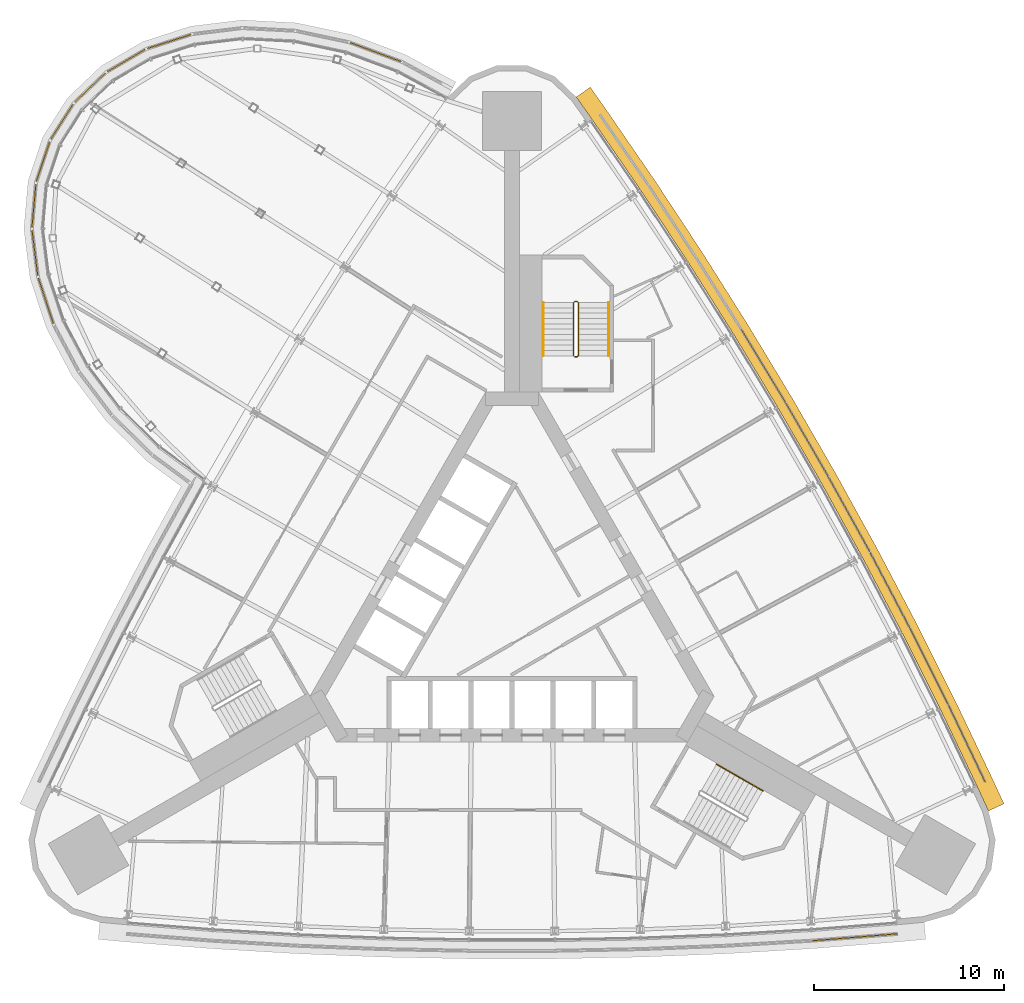
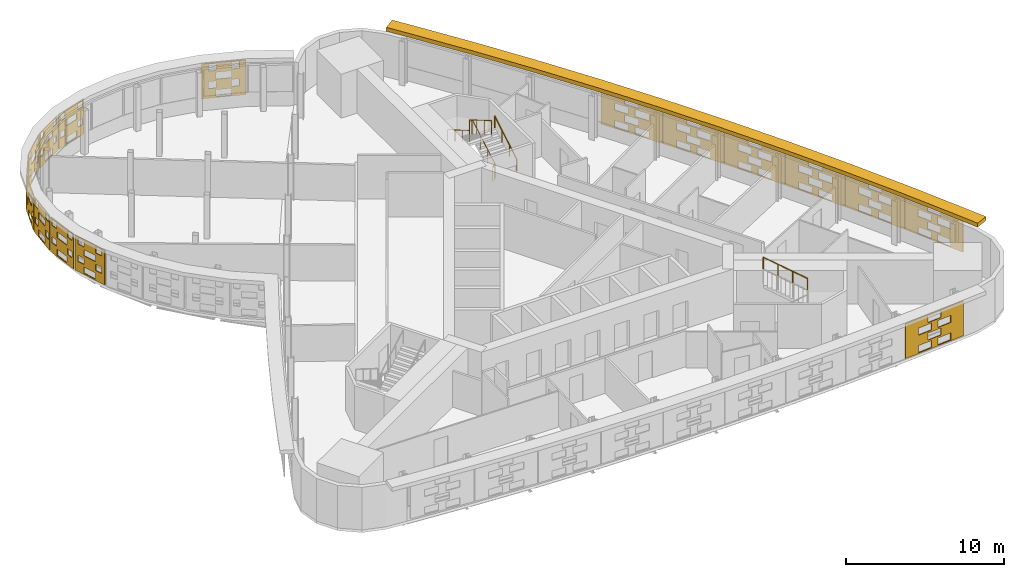
# One storey, part 16 of 17: 17 shading devices, 4 railings.
"""IFC4 building model written with IfcOpenShell, lengths in metres."""

import ifcopenshell
import ifcopenshell.guid

model = None  # the IFC model being written
_history = None  # IfcOwnerHistory: only IFC2X3 demands one
_inside = {}  # id of a spatial element -> (the spatial element, [elements in it])
_under = {}  # id of a project, library or spatial element -> (it, [spatial elements below it])
_declared = {}  # id of a project -> (the project, [libraries it declares])
_typed = {}  # id of a type object -> (the type object, [elements of that type])
_made_of = {}  # id of a material, layer set ... -> (it, [elements and type objects made of it])


def new_model(schema):
    """Start an empty IFC model of exactly this schema.

    Asked for "IFC4X3", IfcOpenShell would pick the latest addendum, in which some entities
    have other attributes; the version numbers below select the first issue.
    IFC2X3 requires an IfcOwnerHistory on every rooted entity: one is made here for all.
    """
    global model, _history
    if schema == "IFC4X3":
        model = ifcopenshell.file(schema_version=(4, 3, 0, 0))
    else:
        model = ifcopenshell.file(schema=schema)
    _inside.clear()
    _under.clear()
    _declared.clear()
    _typed.clear()
    _made_of.clear()
    _history = None
    if model.schema == "IFC2X3":
        org = make("IfcOrganization", Name="unknown")
        user = make(
            "IfcPersonAndOrganization",
            ThePerson=make("IfcPerson", FamilyName="unknown"),
            TheOrganization=org,
        )
        app = make(
            "IfcApplication",
            ApplicationDeveloper=org,
            Version="unknown",
            ApplicationFullName="unknown",
            ApplicationIdentifier="unknown",
        )
        _history = make(
            "IfcOwnerHistory",
            OwningUser=user,
            OwningApplication=app,
            ChangeAction="ADDED",
            CreationDate=0,
        )
    return model


def make(cls, **values):
    """One entity of the class cls with the attributes given. An attribute that is None is left unset."""
    return model.create_entity(
        cls, **{name: value for name, value in values.items() if value is not None}
    )


def rooted(cls, **values):
    """An entity with a GlobalId (a new one), such as an element, a storey or a relation."""
    return make(cls, GlobalId=ifcopenshell.guid.new(), OwnerHistory=_history, **values)


def si_unit(unit_type, name, prefix=None):
    """IfcSIUnit, for example si_unit("LENGTHUNIT", "METRE", prefix="MILLI")."""
    return make("IfcSIUnit", UnitType=unit_type, Prefix=prefix, Name=name)


def assignment(units):
    """IfcUnitAssignment: the units of a project."""
    return None if units is None else make("IfcUnitAssignment", Units=units)


def point(xyz):
    """IfcCartesianPoint."""
    return None if xyz is None else make("IfcCartesianPoint", Coordinates=xyz)


def direction(xyz):
    """IfcDirection."""
    return None if xyz is None else make("IfcDirection", DirectionRatios=xyz)


def frame(location, z_axis=None, x_axis=None):
    """IfcAxis2Placement3D, a coordinate frame: its origin and axes. An axis left out is left unset."""
    return make(
        "IfcAxis2Placement3D",
        Location=point(location),
        Axis=direction(z_axis),
        RefDirection=direction(x_axis),
    )


def frame_2d(location, x_axis=None):
    """IfcAxis2Placement2D, a coordinate frame in the plane: its origin and x axis."""
    return make(
        "IfcAxis2Placement2D", Location=point(location), RefDirection=direction(x_axis)
    )


def origin():
    """The frame at (0, 0, 0) with its axes left unset."""
    return frame((0.0, 0.0, 0.0))


def origin_2d():
    """The frame at (0, 0) in the plane with its x axis left unset."""
    return frame_2d((0.0, 0.0))


def place(relative_to, where):
    """IfcLocalPlacement: puts the frame where relative to a parent placement (None: the world)."""
    return make(
        "IfcLocalPlacement", PlacementRelTo=relative_to, RelativePlacement=where
    )


def context(
    kind, dimensions, precision=None, world=None, true_north=None, identifier=None
):
    """IfcGeometricRepresentationContext, for example the 3D "Model" context."""
    return make(
        "IfcGeometricRepresentationContext",
        ContextIdentifier=identifier,
        ContextType=kind,
        CoordinateSpaceDimension=dimensions,
        Precision=precision,
        WorldCoordinateSystem=world,
        TrueNorth=true_north,
    )


def subcontext(parent, identifier, kind, view, scale=None):
    """IfcGeometricRepresentationSubContext, for example "Body" below "Model"."""
    return make(
        "IfcGeometricRepresentationSubContext",
        ContextIdentifier=identifier,
        ContextType=kind,
        ParentContext=parent,
        TargetScale=scale,
        TargetView=view,
    )


def project(units=None, contexts=None):
    """IfcProject with its units and contexts."""
    return rooted(
        "IfcProject",
        Name="project",
        RepresentationContexts=contexts,
        UnitsInContext=assignment(units),
    )


def spatial(cls, under=None, at=None, **own):
    """A site, building, storey or space (cls), placed at a placement, below another one or the project."""
    s = rooted(cls, ObjectPlacement=at, **own)
    if under is not None:
        _under.setdefault(under.id(), (under, []))[1].append(s)
    return s


def polyline(points):
    """IfcPolyline through the points."""
    return make("IfcPolyline", Points=[point(p) for p in points])


def profile(cls, at=None, kind="AREA", **sizes):
    """A parametric profile (cls). Its sizes go by their IFC names, for example OverallWidth=200.0."""
    return make(cls, ProfileType=kind, Position=at, **sizes)


def circle(**sizes):
    """IfcCircleProfileDef."""
    return profile("IfcCircleProfileDef", **sizes)


def outline(outer, holes=None, kind="AREA"):
    """IfcArbitraryClosedProfileDef: a profile drawn as a closed curve; with holes, ...WithVoids."""
    if holes is None:
        return make("IfcArbitraryClosedProfileDef", ProfileType=kind, OuterCurve=outer)
    return make(
        "IfcArbitraryProfileDefWithVoids",
        ProfileType=kind,
        OuterCurve=outer,
        InnerCurves=holes,
    )


def extrude(swept, where, along, depth):
    """IfcExtrudedAreaSolid: the profile swept, set in the frame where, extruded along a direction by depth."""
    return make(
        "IfcExtrudedAreaSolid",
        SweptArea=swept,
        Position=where,
        ExtrudedDirection=direction(along),
        Depth=depth,
    )


def shape(context_of_items, identifier, shape_type, items):
    """IfcShapeRepresentation: the items that make up one representation, for example the "Body"."""
    return make(
        "IfcShapeRepresentation",
        ContextOfItems=context_of_items,
        RepresentationIdentifier=identifier,
        RepresentationType=shape_type,
        Items=items,
    )


def material(Name=None, Category=None):
    """IfcMaterial."""
    return make("IfcMaterial", Name=Name, Category=Category)


def layer(
    of_material, thickness, ventilated=None, Name=None, Category=None, Priority=None
):
    """IfcMaterialLayer: one layer of a wall or slab, of a material (None: an air gap)."""
    return make(
        "IfcMaterialLayer",
        Material=of_material,
        LayerThickness=thickness,
        IsVentilated=ventilated,
        Name=Name,
        Category=Category,
        Priority=Priority,
    )


def layer_set(layers, Name=None):
    """IfcMaterialLayerSet."""
    return make("IfcMaterialLayerSet", MaterialLayers=layers, LayerSetName=Name)


def material_profile(
    of_material, cross_section, Name=None, Category=None, Priority=None
):
    """IfcMaterialProfile: a cross section and its material."""
    return make(
        "IfcMaterialProfile",
        Name=Name,
        Material=of_material,
        Profile=cross_section,
        Priority=Priority,
        Category=Category,
    )


def profile_set(profiles, Name=None, composite=None):
    """IfcMaterialProfileSet."""
    return make(
        "IfcMaterialProfileSet",
        Name=Name,
        MaterialProfiles=profiles,
        CompositeProfile=composite,
    )


def made_of(thing, what):
    """Note that an element or type object is made of a material, layer set ...; save() writes the relation."""
    if what is not None:
        _made_of.setdefault(what.id(), (what, []))[1].append(thing)
    return thing


def type_object(cls, material=None, **own):
    """A type object (cls), such as IfcWallType, which elements share."""
    return made_of(rooted(cls, **own), material)


def element(
    cls,
    number,
    at=None,
    inside=None,
    cuts=None,
    type_object=None,
    material=None,
    context=None,
    identifier="Body",
    shape_type=None,
    held_by="IfcProductDefinitionShape",
    body=None,
    shapes=None,
    **own,
):
    """One element of the class cls, such as IfcWall. Its Tag is "e" and its number.

    at: its placement. inside: the storey or other place that contains it. cuts: it is an
    opening in that element (IfcRelVoidsElement). A single representation is given by context,
    identifier, shape_type and body (its items); several are given by shapes. held_by: the class
    of the entity that holds the representations. save() writes the other relations.
    """
    e = rooted(cls, Tag="e%d" % number, ObjectPlacement=at, **own)
    if body is not None:
        shapes = [shape(context, identifier, shape_type, body)]
    if shapes is not None:
        e.Representation = make(held_by, Representations=shapes)
    if inside is not None:
        _inside.setdefault(inside.id(), (inside, []))[1].append(e)
    if cuts is not None:
        rooted(
            "IfcRelVoidsElement", RelatingBuildingElement=cuts, RelatedOpeningElement=e
        )
    if type_object is not None:
        _typed.setdefault(type_object.id(), (type_object, []))[1].append(e)
    return made_of(e, material)


def aggregate(whole, parts):
    """IfcRelAggregates: a whole, such as a stair, and the parts it consists of."""
    return rooted("IfcRelAggregates", RelatingObject=whole, RelatedObjects=parts)


def save(model, path):
    """Write the relations noted so far, then the file.

    IfcRelAggregates (storeys below a building ...), IfcRelContainedInSpatialStructure (elements
    in a storey), IfcRelDefinesByType, IfcRelAssociatesMaterial and IfcRelDeclares: one each for
    every whole, place, type object, material and project.
    """
    for whole, parts in _under.values():
        aggregate(whole, parts)
    for where, things in _inside.values():
        rooted(
            "IfcRelContainedInSpatialStructure",
            RelatedElements=things,
            RelatingStructure=where,
        )
    for kind, things in _typed.values():
        rooted("IfcRelDefinesByType", RelatedObjects=things, RelatingType=kind)
    for what, things in _made_of.values():
        rooted("IfcRelAssociatesMaterial", RelatedObjects=things, RelatingMaterial=what)
    for by, libraries in _declared.values():
        rooted("IfcRelDeclares", RelatingContext=by, RelatedDefinitions=libraries)
    model.write(path)


model = new_model("IFC4")

# Units and contexts
model_context = context("Model", 3, precision=1e-05, world=origin(), true_north=direction((0.0, 1.0)))
body_context = subcontext(model_context, "Body", "Model", "MODEL_VIEW")
ifc_project = project(units=[si_unit("LENGTHUNIT", "METRE"), si_unit("AREAUNIT", "SQUARE_METRE"), si_unit("VOLUMEUNIT", "CUBIC_METRE"), si_unit("PLANEANGLEUNIT", "RADIAN"), si_unit("MASSUNIT", "GRAM", prefix="KILO")], contexts=[model_context])

# Site, building, storey
site_placement = place(None, origin())
site = spatial("IfcSite", under=ifc_project, at=site_placement, CompositionType="ELEMENT")
building_placement = place(site_placement, origin())
building = spatial("IfcBuilding", under=site, at=building_placement, Name="Noor Cloister Tower", CompositionType="ELEMENT")
storey_placement = place(building_placement, frame((0.0, 0.0, 98.699951171875)))
storey = spatial("IfcBuildingStorey", under=building, at=storey_placement, Name="L25", CompositionType="ELEMENT", Elevation=98.699951171875)

# Shading devices
ifc_material_1 = material(Name="Limestone", Category="masonry")
ifc_material_profile = material_profile(ifc_material_1, outline(polyline([(-2.22998046875, -1.35009765625), (2.22998046875, -1.35009765625), (2.22998046875, 1.35009765625), (-2.22998046875, 1.35009765625), (-2.22998046875, -1.35009765625)]), holes=[polyline([(-1.25, -1.282470703125), (-0.25, -1.282470703125), (-0.25, -0.742431640625), (-1.25, -0.742431640625), (-1.25, -1.282470703125)]), polyline([(0.25, -1.282470703125), (1.25, -1.282470703125), (1.25, -0.742431640625), (0.25, -0.742431640625), (0.25, -1.282470703125)]), polyline([(-0.5, -0.607421875), (0.5, -0.607421875), (0.5, -0.0673828125), (-0.5, -0.0673828125), (-0.5, -0.607421875)]), polyline([(-1.25, 0.0673828125), (-0.25, 0.0673828125), (-0.25, 0.607421875), (-1.25, 0.607421875), (-1.25, 0.0673828125)]), polyline([(0.25, 0.0673828125), (1.25, 0.0673828125), (1.25, 0.607421875), (0.25, 0.607421875), (0.25, 0.0673828125)]), polyline([(-0.5, 0.742431640625), (0.5, 0.742431640625), (0.5, 1.282470703125), (-0.5, 1.282470703125), (-0.5, 0.742431640625)])]), Name="Woven screen 28 percent open")
ifc_profile_set = profile_set([ifc_material_profile], Name="Limestone")
shading_device_type_1 = type_object("IfcShadingDeviceType", Name="SCREEN woven limestone 28 percent open", PredefinedType="USERDEFINED", material=ifc_profile_set)
for number, where, z_axis, x_axis, name in (
    (1, (18.015869140625, -17.15673828125, 1.85009765625), (0.081362009455, -0.996684615823, 0.0), (0.996684615823, 0.081362009455, 0.0), "SCREEN L25 9"),
    (2, (23.8662109375, -7.02392578125, 1.85009765625), (0.902409201061, 0.430880068975, 0.0), (-0.430880068975, 0.902409201061, 0.0), "SCREEN L25 1"),
    (3, (21.885986328125, -2.973388671875, 1.85009765625), (0.894427191, 0.4472135955, 0.0), (-0.4472135955, 0.894427191, 0.0), "SCREEN L25 2"),
):
    element("IfcShadingDevice", number, at=place(storey_placement, frame(where, z_axis=z_axis, x_axis=x_axis)), inside=storey, type_object=shading_device_type_1, Name=name, ObjectType="SCREEN", PredefinedType="USERDEFINED", context=body_context, shape_type="SweptSolid", body=[
        extrude(outline(polyline([(-2.22998046875, -1.35009765625), (2.22998046875, -1.35009765625), (2.22998046875, 1.35009765625), (-2.22998046875, 1.35009765625), (-2.22998046875, -1.35009765625)]), holes=[polyline([(-1.25, -1.282470703125), (-0.25, -1.282470703125), (-0.25, -0.742431640625), (-1.25, -0.742431640625), (-1.25, -1.282470703125)]), polyline([(0.25, -1.282470703125), (1.25, -1.282470703125), (1.25, -0.742431640625), (0.25, -0.742431640625), (0.25, -1.282470703125)]), polyline([(-0.5, -0.607421875), (0.5, -0.607421875), (0.5, -0.0673828125), (-0.5, -0.0673828125), (-0.5, -0.607421875)]), polyline([(-1.25, 0.0673828125), (-0.25, 0.0673828125), (-0.25, 0.607421875), (-1.25, 0.607421875), (-1.25, 0.0673828125)]), polyline([(0.25, 0.0673828125), (1.25, 0.0673828125), (1.25, 0.607421875), (0.25, 0.607421875), (0.25, 0.0673828125)]), polyline([(-0.5, 0.742431640625), (0.5, 0.742431640625), (0.5, 1.282470703125), (-0.5, 1.282470703125), (-0.5, 0.742431640625)])]), origin(), (0.0, 0.0, 1.0), 0.06005859375),
    ])
shading_device_1_placement = place(storey_placement, frame((19.82666015625, 1.037353515625, 1.85009765625), z_axis=(0.885271944608, 0.465073740486, 0.0), x_axis=(-0.465073740486, 0.885271944608, 0.0)))
element("IfcShadingDevice", 4, at=shading_device_1_placement, inside=storey, type_object=shading_device_type_1, Name="SCREEN L25 3", ObjectType="SCREEN", PredefinedType="USERDEFINED", context=body_context, shape_type="SweptSolid", body=[
    extrude(outline(polyline([(-2.22998046875, -1.35009765625), (2.22998046875, -1.35009765625), (2.22998046875, 1.35009765625), (-2.22998046875, 1.35009765625), (-2.22998046875, -1.35009765625)]), holes=[polyline([(-1.25, -1.282470703125), (-0.25, -1.282470703125), (-0.25, -0.742431640625), (-1.25, -0.742431640625), (-1.25, -1.282470703125)]), polyline([(0.25, -1.282470703125), (1.25, -1.282470703125), (1.25, -0.742431640625), (0.25, -0.742431640625), (0.25, -1.282470703125)]), polyline([(-0.5, -0.607421875), (0.5, -0.607421875), (0.5, -0.0673828125), (-0.5, -0.0673828125), (-0.5, -0.607421875)]), polyline([(-1.25, 0.0673828125), (-0.25, 0.0673828125), (-0.25, 0.607421875), (-1.25, 0.607421875), (-1.25, 0.0673828125)]), polyline([(0.25, 0.0673828125), (1.25, 0.0673828125), (1.25, 0.607421875), (0.25, 0.607421875), (0.25, 0.0673828125)]), polyline([(-0.5, 0.742431640625), (0.5, 0.742431640625), (0.5, 1.282470703125), (-0.5, 1.282470703125), (-0.5, 0.742431640625)])]), origin(), (0.0, 0.0, 1.0), 0.059814453125),
])
for number, where, z_axis, x_axis, name in (
    (5, (17.6884765625, 5.006591796875, 1.85009765625), (0.874923997532, 0.484260259099, 0.0), (-0.484260259099, 0.874923997532, 0.0), "SCREEN L25 4"),
    (6, (15.47265625, 8.93310546875, 1.85009765625), (0.865982457891, 0.500074377092, 0.0), (-0.500074377092, 0.865982457891, 0.0), "SCREEN L25 5"),
):
    element("IfcShadingDevice", number, at=place(storey_placement, frame(where, z_axis=z_axis, x_axis=x_axis)), inside=storey, type_object=shading_device_type_1, Name=name, ObjectType="SCREEN", PredefinedType="USERDEFINED", context=body_context, shape_type="SweptSolid", body=[
        extrude(outline(polyline([(-2.22998046875, -1.35009765625), (2.22998046875, -1.35009765625), (2.22998046875, 1.35009765625), (-2.22998046875, 1.35009765625), (-2.22998046875, -1.35009765625)]), holes=[polyline([(-1.25, -1.282470703125), (-0.25, -1.282470703125), (-0.25, -0.742431640625), (-1.25, -0.742431640625), (-1.25, -1.282470703125)]), polyline([(0.25, -1.282470703125), (1.25, -1.282470703125), (1.25, -0.742431640625), (0.25, -0.742431640625), (0.25, -1.282470703125)]), polyline([(-0.5, -0.607421875), (0.5, -0.607421875), (0.5, -0.0673828125), (-0.5, -0.0673828125), (-0.5, -0.607421875)]), polyline([(-1.25, 0.0673828125), (-0.25, 0.0673828125), (-0.25, 0.607421875), (-1.25, 0.607421875), (-1.25, 0.0673828125)]), polyline([(0.25, 0.0673828125), (1.25, 0.0673828125), (1.25, 0.607421875), (0.25, 0.607421875), (0.25, 0.0673828125)]), polyline([(-0.5, 0.742431640625), (0.5, 0.742431640625), (0.5, 1.282470703125), (-0.5, 1.282470703125), (-0.5, 0.742431640625)])]), origin(), (0.0, 0.0, 1.0), 0.06005859375),
    ])
shading_device_2_placement = place(storey_placement, frame((13.18017578125, 12.8154296875, 1.85009765625), z_axis=(0.855690023312, 0.517488728384, 0.0), x_axis=(-0.517488728384, 0.855690023312, 0.0)))
element("IfcShadingDevice", 7, at=shading_device_2_placement, inside=storey, type_object=shading_device_type_1, Name="SCREEN L25 6", ObjectType="SCREEN", PredefinedType="USERDEFINED", context=body_context, shape_type="SweptSolid", body=[
    extrude(outline(polyline([(-2.22998046875, -1.35009765625), (2.22998046875, -1.35009765625), (2.22998046875, 1.35009765625), (-2.22998046875, 1.35009765625), (-2.22998046875, -1.35009765625)]), holes=[polyline([(-1.25, -1.282470703125), (-0.25, -1.282470703125), (-0.25, -0.742431640625), (-1.25, -0.742431640625), (-1.25, -1.282470703125)]), polyline([(0.25, -1.282470703125), (1.25, -1.282470703125), (1.25, -0.742431640625), (0.25, -0.742431640625), (0.25, -1.282470703125)]), polyline([(-0.5, -0.607421875), (0.5, -0.607421875), (0.5, -0.0673828125), (-0.5, -0.0673828125), (-0.5, -0.607421875)]), polyline([(-1.25, 0.0673828125), (-0.25, 0.0673828125), (-0.25, 0.607421875), (-1.25, 0.607421875), (-1.25, 0.0673828125)]), polyline([(0.25, 0.0673828125), (1.25, 0.0673828125), (1.25, 0.607421875), (0.25, 0.607421875), (0.25, 0.0673828125)]), polyline([(-0.5, 0.742431640625), (0.5, 0.742431640625), (0.5, 1.282470703125), (-0.5, 1.282470703125), (-0.5, 0.742431640625)])]), origin(), (0.0, 0.0, 1.0), 0.059814453125),
])
ifc_material_2 = material(Name="Limestone", Category="masonry")
ifc_layer = layer(ifc_material_2, 0.06005859375)
ifc_layer_set = layer_set([ifc_layer], Name="SCREEN woven limestone pod 28 percent open")
shading_device_type_2 = type_object("IfcShadingDeviceType", Name="SCREEN woven limestone pod 28 percent open", PredefinedType="USERDEFINED", material=ifc_layer_set)
shading_device_3_placement = place(storey_placement, frame((-7.169677734375, 29.285888671875, 1.85009765625), z_axis=(0.348899454527, 0.937160162742, 0.0), x_axis=(-0.937160162742, 0.348899454527, 0.0)))
element("IfcShadingDevice", 8, at=shading_device_3_placement, inside=storey, type_object=shading_device_type_2, Name="SCREEN L25 2", ObjectType="SCREEN", PredefinedType="USERDEFINED", context=body_context, shape_type="SweptSolid", body=[
    extrude(outline(polyline([(-1.431640625, -1.35009765625), (1.431640625, -1.35009765625), (1.431640625, 1.35009765625), (-1.431640625, 1.35009765625), (-1.431640625, -1.35009765625)]), holes=[polyline([(-0.5, -1.282470703125), (0.5, -1.282470703125), (0.5, -0.742431640625), (-0.5, -0.742431640625), (-0.5, -1.282470703125)]), polyline([(-1.0, -0.607421875), (-0.5, -0.607421875), (-0.5, -0.0673828125), (-1.0, -0.0673828125), (-1.0, -0.607421875)]), polyline([(0.5, -0.607421875), (1.0, -0.607421875), (1.0, -0.0673828125), (0.5, -0.0673828125), (0.5, -0.607421875)]), polyline([(-0.5, 0.0673828125), (0.5, 0.0673828125), (0.5, 0.607421875), (-0.5, 0.607421875), (-0.5, 0.0673828125)]), polyline([(-1.0, 0.742431640625), (-0.5, 0.742431640625), (-0.5, 1.282470703125), (-1.0, 1.282470703125), (-1.0, 0.742431640625)]), polyline([(0.5, 0.742431640625), (1.0, 0.742431640625), (1.0, 1.282470703125), (0.5, 1.282470703125), (0.5, 0.742431640625)])]), origin(), (0.0, 0.0, 1.0), 0.06005859375),
])
shading_device_4_placement = place(storey_placement, frame((-17.99951171875, 29.841796875, 1.85009765625), z_axis=(-0.305218682065, 0.952282288042, 0.0), x_axis=(-0.952282288042, -0.305218682065, 0.0)))
element("IfcShadingDevice", 9, at=shading_device_4_placement, inside=storey, type_object=shading_device_type_2, Name="SCREEN L25 6", ObjectType="SCREEN", PredefinedType="USERDEFINED", context=body_context, shape_type="SweptSolid", body=[
    extrude(outline(polyline([(-1.198486328125, -1.35009765625), (1.198486328125, -1.35009765625), (1.198486328125, 1.35009765625), (-1.198486328125, 1.35009765625), (-1.198486328125, -1.35009765625)]), holes=[polyline([(-0.5, -1.251220703125), (0.5, -1.251220703125), (0.5, -0.773681640625), (-0.5, -0.773681640625), (-0.5, -1.251220703125)]), polyline([(0.60009765625, -0.576416015625), (1.048583984375, -0.576416015625), (1.048583984375, -0.0986328125), (0.60009765625, -0.0986328125), (0.60009765625, -0.576416015625)]), polyline([(-1.048583984375, -0.576416015625), (-0.60009765625, -0.576416015625), (-0.60009765625, -0.0986328125), (-1.048583984375, -0.0986328125), (-1.048583984375, -0.576416015625)]), polyline([(-0.5, 0.0986328125), (0.5, 0.0986328125), (0.5, 0.576416015625), (-0.5, 0.576416015625), (-0.5, 0.0986328125)]), polyline([(0.60009765625, 0.773681640625), (1.048583984375, 0.773681640625), (1.048583984375, 1.251220703125), (0.60009765625, 1.251220703125), (0.60009765625, 0.773681640625)]), polyline([(-1.048583984375, 0.773681640625), (-0.60009765625, 0.773681640625), (-0.60009765625, 1.251220703125), (-1.048583984375, 1.251220703125), (-1.048583984375, 0.773681640625)])]), origin(), (0.0, 0.0, 1.0), 0.06005859375),
])
shading_device_5_placement = place(storey_placement, frame((-20.248291015625, 28.844970703125, 1.85009765625), z_axis=(-0.504883315038, 0.863187603129, 0.0), x_axis=(-0.863187603129, -0.504883315038, 0.0)))
element("IfcShadingDevice", 10, at=shading_device_5_placement, inside=storey, type_object=shading_device_type_2, Name="SCREEN L25 7", ObjectType="SCREEN", PredefinedType="USERDEFINED", context=body_context, shape_type="SweptSolid", body=[
    extrude(outline(polyline([(-1.13916015625, -1.35009765625), (1.13916015625, -1.35009765625), (1.13916015625, 1.35009765625), (-1.13916015625, 1.35009765625), (-1.13916015625, -1.35009765625)]), holes=[polyline([(-0.5, -1.254638671875), (0.5, -1.254638671875), (0.5, -0.770263671875), (-0.5, -0.770263671875), (-0.5, -1.254638671875)]), polyline([(0.60009765625, -0.57958984375), (0.9892578125, -0.57958984375), (0.9892578125, -0.095458984375), (0.60009765625, -0.095458984375), (0.60009765625, -0.57958984375)]), polyline([(-0.9892578125, -0.57958984375), (-0.60009765625, -0.57958984375), (-0.60009765625, -0.095458984375), (-0.9892578125, -0.095458984375), (-0.9892578125, -0.57958984375)]), polyline([(-0.5, 0.095458984375), (0.5, 0.095458984375), (0.5, 0.57958984375), (-0.5, 0.57958984375), (-0.5, 0.095458984375)]), polyline([(0.60009765625, 0.770263671875), (0.9892578125, 0.770263671875), (0.9892578125, 1.254638671875), (0.60009765625, 1.254638671875), (0.60009765625, 0.770263671875)]), polyline([(-0.9892578125, 0.770263671875), (-0.60009765625, 0.770263671875), (-0.60009765625, 1.254638671875), (-0.9892578125, 1.254638671875), (-0.9892578125, 0.770263671875)])]), origin(), (0.0, 0.0, 1.0), 0.06005859375),
])
shading_device_6_placement = place(storey_placement, frame((-22.145263671875, 27.42919921875, 1.85009765625), z_axis=(-0.688535283471, 0.725202842945, 0.0), x_axis=(-0.725202842945, -0.688535283471, 0.0)))
element("IfcShadingDevice", 11, at=shading_device_6_placement, inside=storey, type_object=shading_device_type_2, Name="SCREEN L25 8", ObjectType="SCREEN", PredefinedType="USERDEFINED", context=body_context, shape_type="SweptSolid", body=[
    extrude(outline(polyline([(-1.098388671875, -1.35009765625), (1.098388671875, -1.35009765625), (1.098388671875, 1.35009765625), (-1.098388671875, 1.35009765625), (-1.098388671875, -1.35009765625)]), holes=[polyline([(-0.5, -1.257080078125), (0.5, -1.257080078125), (0.5, -0.767822265625), (-0.5, -0.767822265625), (-0.5, -1.257080078125)]), polyline([(0.60009765625, -0.582275390625), (0.948486328125, -0.582275390625), (0.948486328125, -0.0927734375), (0.60009765625, -0.0927734375), (0.60009765625, -0.582275390625)]), polyline([(-0.948486328125, -0.582275390625), (-0.60009765625, -0.582275390625), (-0.60009765625, -0.0927734375), (-0.948486328125, -0.0927734375), (-0.948486328125, -0.582275390625)]), polyline([(-0.5, 0.0927734375), (0.5, 0.0927734375), (0.5, 0.582275390625), (-0.5, 0.582275390625), (-0.5, 0.0927734375)]), polyline([(0.60009765625, 0.767822265625), (0.948486328125, 0.767822265625), (0.948486328125, 1.257080078125), (0.60009765625, 1.257080078125), (0.60009765625, 0.767822265625)]), polyline([(-0.948486328125, 0.767822265625), (-0.60009765625, 0.767822265625), (-0.60009765625, 1.257080078125), (-0.948486328125, 1.257080078125), (-0.948486328125, 0.767822265625)])]), origin(), (0.0, 0.0, 1.0), 0.059814453125),
])
shading_device_7_placement = place(storey_placement, frame((-23.617919921875, 25.642578125, 1.85009765625), z_axis=(-0.844329420183, 0.535824439731, 0.0), x_axis=(-0.535824439731, -0.844329420183, 0.0)))
element("IfcShadingDevice", 12, at=shading_device_7_placement, inside=storey, type_object=shading_device_type_2, Name="SCREEN L25 9", ObjectType="SCREEN", PredefinedType="USERDEFINED", context=body_context, shape_type="SweptSolid", body=[
    extrude(outline(polyline([(-1.083740234375, -1.35009765625), (1.083740234375, -1.35009765625), (1.083740234375, 1.35009765625), (-1.083740234375, 1.35009765625), (-1.083740234375, -1.35009765625)]), holes=[polyline([(-0.5, -1.258056640625), (0.5, -1.258056640625), (0.5, -0.766845703125), (-0.5, -0.766845703125), (-0.5, -1.258056640625)]), polyline([(0.60009765625, -0.583251953125), (0.933837890625, -0.583251953125), (0.933837890625, -0.091796875), (0.60009765625, -0.091796875), (0.60009765625, -0.583251953125)]), polyline([(-0.933837890625, -0.583251953125), (-0.60009765625, -0.583251953125), (-0.60009765625, -0.091796875), (-0.933837890625, -0.091796875), (-0.933837890625, -0.583251953125)]), polyline([(-0.5, 0.091796875), (0.5, 0.091796875), (0.5, 0.583251953125), (-0.5, 0.583251953125), (-0.5, 0.091796875)]), polyline([(0.60009765625, 0.766845703125), (0.933837890625, 0.766845703125), (0.933837890625, 1.258056640625), (0.60009765625, 1.258056640625), (0.60009765625, 0.766845703125)]), polyline([(-0.933837890625, 0.766845703125), (-0.60009765625, 0.766845703125), (-0.60009765625, 1.258056640625), (-0.933837890625, 1.258056640625), (-0.933837890625, 0.766845703125)])]), origin(), (0.0, 0.0, 1.0), 0.06005859375),
])
shading_device_8_placement = place(storey_placement, frame((-24.610107421875, 23.55029296875, 1.85009765625), z_axis=(-0.94827552716, 0.317448459736, 0.0), x_axis=(-0.317448459736, -0.94827552716, 0.0)))
element("IfcShadingDevice", 13, at=shading_device_8_placement, inside=storey, type_object=shading_device_type_2, Name="SCREEN L25 10", ObjectType="SCREEN", PredefinedType="USERDEFINED", context=body_context, shape_type="SweptSolid", body=[
    extrude(outline(polyline([(-1.098388671875, -1.35009765625), (1.098388671875, -1.35009765625), (1.098388671875, 1.35009765625), (-1.098388671875, 1.35009765625), (-1.098388671875, -1.35009765625)]), holes=[polyline([(-0.5, -1.257080078125), (0.5, -1.257080078125), (0.5, -0.767822265625), (-0.5, -0.767822265625), (-0.5, -1.257080078125)]), polyline([(0.60009765625, -0.582275390625), (0.948486328125, -0.582275390625), (0.948486328125, -0.0927734375), (0.60009765625, -0.0927734375), (0.60009765625, -0.582275390625)]), polyline([(-0.948486328125, -0.582275390625), (-0.60009765625, -0.582275390625), (-0.60009765625, -0.0927734375), (-0.948486328125, -0.0927734375), (-0.948486328125, -0.582275390625)]), polyline([(-0.5, 0.0927734375), (0.5, 0.0927734375), (0.5, 0.582275390625), (-0.5, 0.582275390625), (-0.5, 0.0927734375)]), polyline([(0.60009765625, 0.767822265625), (0.948486328125, 0.767822265625), (0.948486328125, 1.257080078125), (0.60009765625, 1.257080078125), (0.60009765625, 0.767822265625)]), polyline([(-0.948486328125, 0.767822265625), (-0.60009765625, 0.767822265625), (-0.60009765625, 1.257080078125), (-0.948486328125, 1.257080078125), (-0.948486328125, 0.767822265625)])]), origin(), (0.0, 0.0, 1.0), 0.06005859375),
])
shading_device_9_placement = place(storey_placement, frame((-25.08642578125, 21.23193359375, 1.85009765625), z_axis=(-0.995959849254, 0.089799658539, 0.0), x_axis=(-0.089799658539, -0.995959849254, 0.0)))
element("IfcShadingDevice", 14, at=shading_device_9_placement, inside=storey, type_object=shading_device_type_2, Name="SCREEN L25 11", ObjectType="SCREEN", PredefinedType="USERDEFINED", context=body_context, shape_type="SweptSolid", body=[
    extrude(outline(polyline([(-1.13916015625, -1.35009765625), (1.13916015625, -1.35009765625), (1.13916015625, 1.35009765625), (-1.13916015625, 1.35009765625), (-1.13916015625, -1.35009765625)]), holes=[polyline([(-0.5, -1.254638671875), (0.5, -1.254638671875), (0.5, -0.770263671875), (-0.5, -0.770263671875), (-0.5, -1.254638671875)]), polyline([(0.60009765625, -0.57958984375), (0.9892578125, -0.57958984375), (0.9892578125, -0.095458984375), (0.60009765625, -0.095458984375), (0.60009765625, -0.57958984375)]), polyline([(-0.9892578125, -0.57958984375), (-0.60009765625, -0.57958984375), (-0.60009765625, -0.095458984375), (-0.9892578125, -0.095458984375), (-0.9892578125, -0.57958984375)]), polyline([(-0.5, 0.095458984375), (0.5, 0.095458984375), (0.5, 0.57958984375), (-0.5, 0.57958984375), (-0.5, 0.095458984375)]), polyline([(0.60009765625, 0.770263671875), (0.9892578125, 0.770263671875), (0.9892578125, 1.254638671875), (0.60009765625, 1.254638671875), (0.60009765625, 0.770263671875)]), polyline([(-0.9892578125, 0.770263671875), (-0.60009765625, 0.770263671875), (-0.60009765625, 1.254638671875), (-0.9892578125, 1.254638671875), (-0.9892578125, 0.770263671875)])]), origin(), (0.0, 0.0, 1.0), 0.059814453125),
])
shading_device_10_placement = place(storey_placement, frame((-25.033935546875, 18.7724609375, 1.85009765625), z_axis=(-0.992025662364, -0.126036047268, 0.0), x_axis=(0.126036047268, -0.992025662364, 0.0)))
element("IfcShadingDevice", 15, at=shading_device_10_placement, inside=storey, type_object=shading_device_type_2, Name="SCREEN L25 12", ObjectType="SCREEN", PredefinedType="USERDEFINED", context=body_context, shape_type="SweptSolid", body=[
    extrude(outline(polyline([(-1.198486328125, -1.35009765625), (1.198486328125, -1.35009765625), (1.198486328125, 1.35009765625), (-1.198486328125, 1.35009765625), (-1.198486328125, -1.35009765625)]), holes=[polyline([(-0.5, -1.251220703125), (0.5, -1.251220703125), (0.5, -0.773681640625), (-0.5, -0.773681640625), (-0.5, -1.251220703125)]), polyline([(0.60009765625, -0.576416015625), (1.048583984375, -0.576416015625), (1.048583984375, -0.0986328125), (0.60009765625, -0.0986328125), (0.60009765625, -0.576416015625)]), polyline([(-1.048583984375, -0.576416015625), (-0.60009765625, -0.576416015625), (-0.60009765625, -0.0986328125), (-1.048583984375, -0.0986328125), (-1.048583984375, -0.576416015625)]), polyline([(-0.5, 0.0986328125), (0.5, 0.0986328125), (0.5, 0.576416015625), (-0.5, 0.576416015625), (-0.5, 0.0986328125)]), polyline([(0.60009765625, 0.773681640625), (1.048583984375, 0.773681640625), (1.048583984375, 1.251220703125), (0.60009765625, 1.251220703125), (0.60009765625, 0.773681640625)]), polyline([(-1.048583984375, 0.773681640625), (-0.60009765625, 0.773681640625), (-0.60009765625, 1.251220703125), (-1.048583984375, 1.251220703125), (-1.048583984375, 0.773681640625)])]), origin(), (0.0, 0.0, 1.0), 0.06005859375),
])
shading_device_11_placement = place(storey_placement, frame((-24.46044921875, 16.257568359375, 1.85009765625), z_axis=(-0.949495164524, -0.313781663813, 0.0), x_axis=(0.313781663813, -0.949495164524, 0.0)))
element("IfcShadingDevice", 16, at=shading_device_11_placement, inside=storey, type_object=shading_device_type_2, Name="SCREEN L25 13", ObjectType="SCREEN", PredefinedType="USERDEFINED", context=body_context, shape_type="SweptSolid", body=[
    extrude(outline(polyline([(-1.266357421875, -1.35009765625), (1.266357421875, -1.35009765625), (1.266357421875, 1.35009765625), (-1.266357421875, 1.35009765625), (-1.266357421875, -1.35009765625)]), holes=[polyline([(-0.5, -1.251708984375), (0.5, -1.251708984375), (0.5, -0.773193359375), (-0.5, -0.773193359375), (-0.5, -1.251708984375)]), polyline([(-1.0, -0.576904296875), (-0.5, -0.576904296875), (-0.5, -0.09814453125), (-1.0, -0.09814453125), (-1.0, -0.576904296875)]), polyline([(0.5, -0.576904296875), (1.0, -0.576904296875), (1.0, -0.09814453125), (0.5, -0.09814453125), (0.5, -0.576904296875)]), polyline([(-0.5, 0.09814453125), (0.5, 0.09814453125), (0.5, 0.576904296875), (-0.5, 0.576904296875), (-0.5, 0.09814453125)]), polyline([(-1.0, 0.773193359375), (-0.5, 0.773193359375), (-0.5, 1.251708984375), (-1.0, 1.251708984375), (-1.0, 0.773193359375)]), polyline([(0.5, 0.773193359375), (1.0, 0.773193359375), (1.0, 1.251708984375), (0.5, 1.251708984375), (0.5, 0.773193359375)])]), origin(), (0.0, 0.0, 1.0), 0.059814453125),
])
ifc_material_3 = material(Name="Limestone", Category="masonry")
shading_device_type_3 = type_object("IfcShadingDeviceType", Name="SUNSHADE limestone band 900", PredefinedType="USERDEFINED", material=ifc_material_3)
shading_device_12_placement = place(storey_placement, frame((0.0, 0.0, 3.300048828125)))
element("IfcShadingDevice", 17, at=shading_device_12_placement, inside=storey, type_object=shading_device_type_3, Name="SUNSHADE L25 3", ObjectType="SUNSHADE", PredefinedType="USERDEFINED", context=body_context, shape_type="SweptSolid", body=[
    extrude(outline(polyline([(25.846923828125, -10.17626953125), (25.2431640625, -8.866455078125), (23.30029296875, -4.791259765625), (21.2763671875, -0.75244140625), (19.17333984375, 3.245849609375), (16.991943359375, 7.201904296875), (14.733154296875, 11.114501953125), (12.397705078125, 14.981689453125), (9.986572265625, 18.802001953125), (7.5009765625, 22.57421875), (4.943115234375, 26.29443359375), (4.110595703125, 27.47216796875), (3.37548828125, 26.95263671875), (4.204833984375, 25.77978515625), (6.754150390625, 22.07177734375), (9.230224609375, 18.314208984375), (11.6318359375, 14.5087890625), (13.9580078125, 10.65673828125), (16.2080078125, 6.759765625), (18.380859375, 2.819091796875), (20.475830078125, -1.16357421875), (22.49169921875, -5.1865234375), (24.42822265625, -9.24853515625), (25.029541015625, -10.552978515625), (25.846923828125, -10.17626953125)])), origin(), (0.0, 0.0, 1.0), 0.300048828125),
])

# Railings
ifc_material_4 = material(Name="Stainless steel", Category="steel")
railing_type_1 = type_object("IfcRailingType", Name="Stair guard 1100", PredefinedType="GUARDRAIL", material=ifc_material_4)
railing_1_placement = place(storey_placement, frame((3.435546875, 13.306396484375, 0.0)))
element("IfcRailing", 18, at=railing_1_placement, inside=storey, type_object=railing_type_1, Name="Stair guard ST1 L25", PredefinedType="GUARDRAIL", context=body_context, shape_type="SweptSolid", body=[
    extrude(circle(Radius=0.02392578125, at=origin_2d()), frame((0.0, 0.0, 1.076171875), z_axis=(-1.0, 0.0, 0.0), x_axis=(0.0, -1.0, 0.0)), (0.0, 0.0, 1.0), 0.14990234375),
    extrude(circle(Radius=0.02392578125, at=origin_2d()), frame((-0.14990234375, 0.0, 1.076171875), z_axis=(0.759870394187, 0.190199549216, 0.621627795), x_axis=(-0.242814311512, 0.970072785993, 0.0)), (0.0, 0.0, 1.0), 0.26318359375),
    extrude(circle(Radius=0.02392578125, at=origin_2d()), frame((0.050048828125, 0.050048828125, 1.23974609375), z_axis=(0.0, 0.863360870873, 0.504586966384), x_axis=(-1.0, 0.0, 0.0)), (0.0, 0.0, 1.0), 3.2431640625),
    extrude(circle(Radius=0.02392578125, at=origin_2d()), frame((0.050048828125, 2.85009765625, 2.8759765625), z_axis=(-0.708833529934, 0.705375805398, 0.0), x_axis=(-0.705375805398, -0.708833529934, 0.0)), (0.0, 0.0, 1.0), 0.070556640625),
    extrude(circle(Radius=0.02392578125, at=origin_2d()), frame((0.0, 2.89990234375, 2.8759765625), z_axis=(-1.0, 0.0, 0.0), x_axis=(0.0, -1.0, 0.0)), (0.0, 0.0, 1.0), 0.14990234375),
    extrude(circle(Radius=0.02392578125, at=origin_2d()), frame((-0.14990234375, 2.89990234375, 2.8759765625), z_axis=(-0.280916556609, -0.279546231943, 0.91811752648), x_axis=(0.705375805398, -0.708833529934, 0.0)), (0.0, 0.0, 1.0), 0.17822265625),
    extrude(circle(Radius=0.02392578125, at=origin_2d()), frame((-0.199951171875, 2.85009765625, 3.03955078125), z_axis=(0.0, -0.863360870873, 0.504586966384), x_axis=(1.0, 0.0, 0.0)), (0.0, 0.0, 1.0), 3.2431640625),
    extrude(circle(Radius=0.02099609375, at=origin_2d()), origin(), (0.0, 0.0, 1.0), 1.052001953125),
    extrude(circle(Radius=0.02099609375, at=origin_2d()), frame((-0.14990234375, 0.0, 0.0)), (0.0, 0.0, 1.0), 1.052001953125),
    extrude(circle(Radius=0.02099609375, at=origin_2d()), frame((0.050048828125, 0.050048828125, 0.16357421875)), (0.0, 0.0, 1.0), 1.052001953125),
    extrude(circle(Radius=0.02099609375, at=origin_2d()), frame((0.050048828125, 0.9833984375, 0.708984375)), (0.0, 0.0, 1.0), 1.052001953125),
    extrude(circle(Radius=0.02099609375, at=origin_2d()), frame((0.050048828125, 1.916748046875, 1.254638671875)), (0.0, 0.0, 1.0), 1.052001953125),
    extrude(circle(Radius=0.02099609375, at=origin_2d()), frame((0.050048828125, 2.85009765625, 1.800048828125)), (0.0, 0.0, 1.0), 1.052001953125),
    extrude(circle(Radius=0.02099609375, at=origin_2d()), frame((0.0, 2.89990234375, 1.800048828125)), (0.0, 0.0, 1.0), 1.052001953125),
    extrude(circle(Radius=0.02099609375, at=origin_2d()), frame((-0.14990234375, 2.89990234375, 1.800048828125)), (0.0, 0.0, 1.0), 1.052001953125),
    extrude(circle(Radius=0.02099609375, at=origin_2d()), frame((-0.199951171875, 2.85009765625, 1.963623046875)), (0.0, 0.0, 1.0), 1.052001953125),
    extrude(circle(Radius=0.02099609375, at=origin_2d()), frame((-0.199951171875, 1.916748046875, 2.509033203125)), (0.0, 0.0, 1.0), 1.052001953125),
    extrude(circle(Radius=0.02099609375, at=origin_2d()), frame((-0.199951171875, 0.9833984375, 3.0546875)), (0.0, 0.0, 1.0), 1.052001953125),
    extrude(circle(Radius=0.02099609375, at=origin_2d()), frame((-0.199951171875, 0.050048828125, 3.60009765625)), (0.0, 0.0, 1.0), 1.052001953125),
])
ifc_material_5 = material(Name="Stainless steel", Category="steel")
railing_type_2 = type_object("IfcRailingType", Name="Stair handrail 900", PredefinedType="HANDRAIL", material=ifc_material_5)
railing_2_placement = place(storey_placement, frame((5.085693359375, 13.3564453125, 0.16357421875)))
element("IfcRailing", 19, at=railing_2_placement, inside=storey, type_object=railing_type_2, Name="Stair handrail ST1 L25 1", PredefinedType="HANDRAIL", context=body_context, shape_type="SweptSolid", body=[
    extrude(circle(Radius=0.02392578125, at=origin_2d()), frame((0.0, 0.0, 0.8759765625), z_axis=(0.0, 0.863360870873, 0.504586966384), x_axis=(-1.0, 0.0, 0.0)), (0.0, 0.0, 1.0), 3.2431640625),
    extrude(circle(Radius=0.02099609375, at=origin_2d()), origin(), (0.0, 0.0, 1.0), 0.851806640625),
    extrude(circle(Radius=0.02099609375, at=origin_2d()), frame((0.0, 0.933349609375, 0.54541015625)), (0.0, 0.0, 1.0), 0.851806640625),
    extrude(circle(Radius=0.02099609375, at=origin_2d()), frame((0.0, 1.86669921875, 1.091064453125)), (0.0, 0.0, 1.0), 0.851806640625),
    extrude(circle(Radius=0.02099609375, at=origin_2d()), frame((0.0, 2.800048828125, 1.636474609375)), (0.0, 0.0, 1.0), 0.851806640625),
])
railing_3_placement = place(storey_placement, frame((1.6357421875, 16.156494140625, 1.963623046875)))
element("IfcRailing", 20, at=railing_3_placement, inside=storey, type_object=railing_type_2, Name="Stair handrail ST1 L25 2", PredefinedType="HANDRAIL", context=body_context, shape_type="SweptSolid", body=[
    extrude(circle(Radius=0.02392578125, at=origin_2d()), frame((0.0, 0.0, 0.8759765625), z_axis=(0.0, -0.863360870873, 0.504586966384), x_axis=(1.0, 0.0, 0.0)), (0.0, 0.0, 1.0), 3.2431640625),
    extrude(circle(Radius=0.02099609375, at=origin_2d()), origin(), (0.0, 0.0, 1.0), 0.851806640625),
    extrude(circle(Radius=0.02099609375, at=origin_2d()), frame((0.0, -0.933349609375, 0.54541015625)), (0.0, 0.0, 1.0), 0.851806640625),
    extrude(circle(Radius=0.02099609375, at=origin_2d()), frame((0.0, -1.86669921875, 1.091064453125)), (0.0, 0.0, 1.0), 0.851806640625),
    extrude(circle(Radius=0.02099609375, at=origin_2d()), frame((0.0, -2.800048828125, 1.636474609375)), (0.0, 0.0, 1.0), 0.851806640625),
])
railing_4_placement = place(storey_placement, frame((13.174072265625, -9.49462890625, 1.963623046875)))
element("IfcRailing", 21, at=railing_4_placement, inside=storey, type_object=railing_type_2, Name="Stair handrail ST3 L25 2", PredefinedType="HANDRAIL", context=body_context, shape_type="SweptSolid", body=[
    extrude(circle(Radius=0.02392578125, at=origin_2d()), frame((0.0, 0.0, 0.8759765625), z_axis=(-0.747689811644, 0.431660630283, 0.504607813879), x_axis=(-0.49998411664, -0.866034573852, 0.0)), (0.0, 0.0, 1.0), 3.2431640625),
    extrude(circle(Radius=0.02099609375, at=origin_2d()), origin(), (0.0, 0.0, 1.0), 0.851806640625),
    extrude(circle(Radius=0.02099609375, at=origin_2d()), frame((-0.808349609375, 0.466552734375, 0.54541015625)), (0.0, 0.0, 1.0), 0.851806640625),
    extrude(circle(Radius=0.02099609375, at=origin_2d()), frame((-1.616455078125, 0.933349609375, 1.091064453125)), (0.0, 0.0, 1.0), 0.851806640625),
    extrude(circle(Radius=0.02099609375, at=origin_2d()), frame((-2.4248046875, 1.39990234375, 1.636474609375)), (0.0, 0.0, 1.0), 0.851806640625),
])

save(model, "model.ifc")
